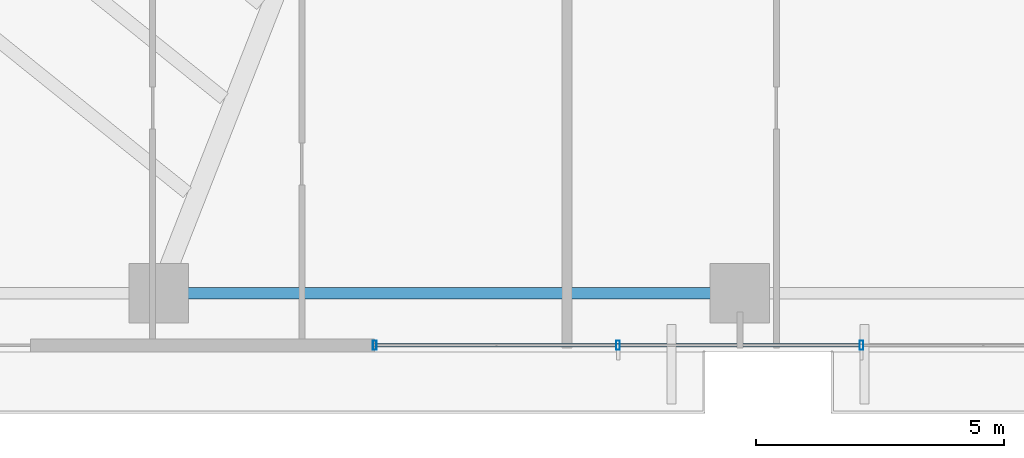
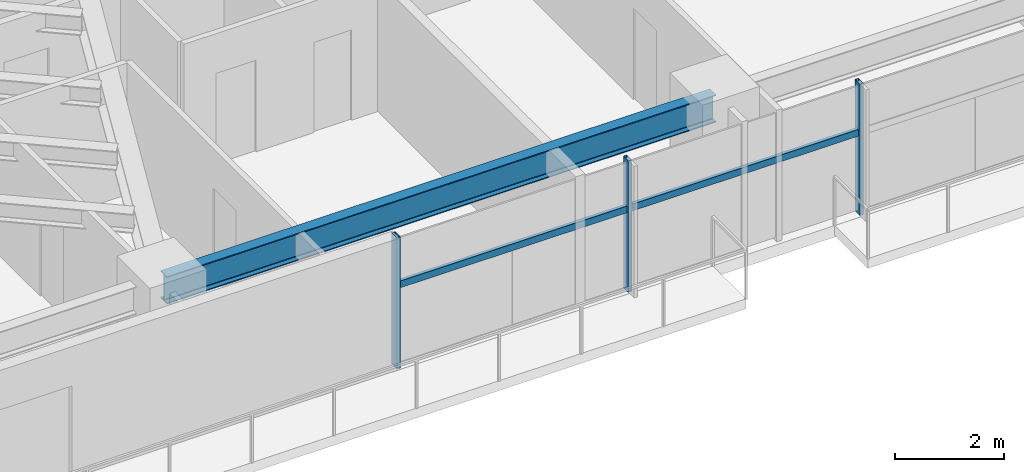
# One storey, part 6 of 25: 5 members, 1 beam, 1 element without a shape of its own.
"""IFC4 building model written with IfcOpenShell, lengths in metres."""

from ifc_helpers import new_model, si_unit, direction, frame, origin, origin_2d, place, context, subcontext, project, spatial, hollow_rectangle, i_section, extrude, source, transform, mapped, material, material_profile, profile_set, type_object, type_shapes, element, aggregate, save


model = new_model("IFC4")

# Units and contexts
model_context = context("Model", 3, precision=1e-05, world=origin(), true_north=direction((0.0, 1.0)))
body_context = subcontext(model_context, "Body", "Model", "MODEL_VIEW")
ifc_project = project(units=[si_unit("LENGTHUNIT", "METRE"), si_unit("AREAUNIT", "SQUARE_METRE"), si_unit("VOLUMEUNIT", "CUBIC_METRE"), si_unit("PLANEANGLEUNIT", "RADIAN"), si_unit("MASSUNIT", "GRAM", prefix="KILO")], contexts=[model_context])

# Site, building, storey
site_placement = place(None, origin())
site = spatial("IfcSite", under=ifc_project, at=site_placement, CompositionType="ELEMENT")
building_placement = place(site_placement, origin())
building = spatial("IfcBuilding", under=site, at=building_placement, Name="Astriad Promenade Condominiums", CompositionType="ELEMENT")
storey_placement = place(building_placement, frame((0.0, 0.0, 58.199951171875)))
storey = spatial("IfcBuildingStorey", under=building, at=storey_placement, Name="L16", CompositionType="ELEMENT", Elevation=58.199951171875)

# Beam
ifc_material_1 = material(Name="Steel ASTM A992 Grade 50", Category="steel")
ifc_material_profile_1 = material_profile(ifc_material_1, i_section(OverallWidth=0.22900390625, OverallDepth=0.612060546875, WebThickness=0.011962890625, FlangeThickness=0.01953125, FilletRadius=0.017822265625, at=origin_2d()), Name="W24X84")
ifc_profile_set_1 = profile_set([ifc_material_profile_1], Name="Steel ASTM A992 Grade 50")
beam_type = type_object("IfcBeamType", Name="STEEL SPANDREL BEAM W24X84", PredefinedType="SPANDREL", material=ifc_profile_set_1)
shared_shape_1 = source(origin(), body_context, "Body", "SweptSolid", [
    extrude(i_section(OverallWidth=0.22900390625, OverallDepth=0.612060546875, WebThickness=0.011962890625, FlangeThickness=0.01953125, FilletRadius=0.017822265625, at=origin_2d()), origin(), (0.0, 0.0, 1.0), 11.6201171875),
])
type_shapes(beam_type, [shared_shape_1])
beam_placement = place(storey_placement, frame((21.139892578125, 3.8798828125, 2.634033203125), z_axis=(1.0, 0.0, 0.0), x_axis=(0.0, 1.0, 0.0)))
element("IfcBeam", 1, at=beam_placement, inside=storey, type_object=beam_type, Name="Perimeter Spandrel Beam SP-S2-L16", PredefinedType="SPANDREL", context=body_context, shape_type="MappedRepresentation", body=[
    mapped(shared_shape_1, transform((0.0, 0.0, 0.0), scale=1.0)),
])

# Curtain wall, members
ifc_material_2 = material(Name="Anodised aluminium Black Dark Glass Unitised", Category="aluminium")
curtain_wall_type = type_object("IfcCurtainWallType", Name="CW-B1-DARK", PredefinedType="USERDEFINED", material=ifc_material_2)
curtain_wall_placement = place(storey_placement, origin())
curtain_wall = element("IfcCurtainWall", 2, at=curtain_wall_placement, inside=storey, type_object=curtain_wall_type, Name="CW-L16-S", ObjectType="UNITISED_CURTAIN_WALL", PredefinedType="USERDEFINED")
ifc_material_3 = material(Name="Anodised aluminium 6063-T6 Black", Category="aluminium")
ifc_material_profile_2 = material_profile(ifc_material_3, hollow_rectangle(XDim=0.074951171875, YDim=0.18505859375, WallThickness=0.00439453125, at=origin_2d()), Name="ALU-MUL-75X185")
ifc_profile_set_2 = profile_set([ifc_material_profile_2], Name="Anodised aluminium 6063-T6 Black")
member_type_1 = type_object("IfcMemberType", Name="MUL-ALU-MUL-75X185", PredefinedType="MULLION", material=ifc_profile_set_2)
shared_shape_2 = source(origin(), body_context, "Body", "SweptSolid", [
    extrude(hollow_rectangle(XDim=0.074951171875, YDim=0.18505859375, WallThickness=0.00439453125, at=origin_2d()), origin(), (0.0, 0.0, 1.0), 2.93994140625),
])
type_shapes(member_type_1, [shared_shape_2])
member_1_placement = place(storey_placement, frame((35.25, 2.830078125, 0.0), z_axis=(0.0, 0.0, 1.0), x_axis=(1.0, 0.0, 0.0)))
member_1 = element("IfcMember", 3, at=member_1_placement, type_object=member_type_1, Name="CW-L16-S-MUL-01", PredefinedType="MULLION", context=body_context, shape_type="MappedRepresentation", body=[
    mapped(shared_shape_2, transform((0.0, 0.0, 0.0), scale=1.0)),
])
member_2_placement = place(storey_placement, frame((30.35009765625, 2.830078125, 0.0), z_axis=(0.0, 0.0, 1.0), x_axis=(1.0, 0.0, 0.0)))
member_2 = element("IfcMember", 4, at=member_2_placement, type_object=member_type_1, Name="CW-L16-S-MUL-02", PredefinedType="MULLION", context=body_context, shape_type="MappedRepresentation", body=[
    mapped(shared_shape_2, transform((0.0, 0.0, 0.0), scale=1.0)),
])
member_3_placement = place(storey_placement, frame((25.449951171875, 2.830078125, 0.0), z_axis=(0.0, 0.0, 1.0), x_axis=(1.0, 0.0, 0.0)))
member_3 = element("IfcMember", 5, at=member_3_placement, type_object=member_type_1, Name="CW-L16-S-MUL-03", PredefinedType="MULLION", context=body_context, shape_type="MappedRepresentation", body=[
    mapped(shared_shape_2, transform((0.0, 0.0, 0.0), scale=1.0)),
])
ifc_material_profile_3 = material_profile(ifc_material_3, hollow_rectangle(XDim=0.074951171875, YDim=0.14990234375, WallThickness=0.004150390625, at=origin_2d()), Name="ALU-TRN-75X150")
ifc_profile_set_3 = profile_set([ifc_material_profile_3], Name="Anodised aluminium 6063-T6 Black")
member_type_2 = type_object("IfcMemberType", Name="TRN-ALU-TRN-75X150", PredefinedType="USERDEFINED", material=ifc_profile_set_3)
shared_shape_3 = source(origin(), body_context, "Body", "SweptSolid", [
    extrude(hollow_rectangle(XDim=0.074951171875, YDim=0.14990234375, WallThickness=0.004150390625, at=origin_2d()), origin(), (0.0, 0.0, 1.0), 4.900146484375),
])
member_4_placement = place(storey_placement, frame((30.35009765625, 2.830078125, 1.82275390625), z_axis=(-1.0, 0.0, 0.0), x_axis=(0.0, -1.0, 0.0)))
member_4 = element("IfcMember", 6, at=member_4_placement, type_object=member_type_2, Name="CW-L16-S-TRN-02-0", ObjectType="TRANSOM", PredefinedType="USERDEFINED", context=body_context, shape_type="MappedRepresentation", body=[
    mapped(shared_shape_3, transform((0.0, 0.0, 0.0), scale=1.0)),
])
shared_shape_4 = source(origin(), body_context, "Body", "SweptSolid", [
    extrude(hollow_rectangle(XDim=0.074951171875, YDim=0.14990234375, WallThickness=0.004150390625, at=origin_2d()), origin(), (0.0, 0.0, 1.0), 4.89990234375),
])
type_shapes(member_type_2, [shared_shape_3, shared_shape_4])
member_5_placement = place(storey_placement, frame((35.25, 2.830078125, 1.82275390625), z_axis=(-1.0, 0.0, 0.0), x_axis=(0.0, -1.0, 0.0)))
member_5 = element("IfcMember", 7, at=member_5_placement, type_object=member_type_2, Name="CW-L16-S-TRN-01-0", ObjectType="TRANSOM", PredefinedType="USERDEFINED", context=body_context, shape_type="MappedRepresentation", body=[
    mapped(shared_shape_4, transform((0.0, 0.0, 0.0), scale=1.0)),
])
aggregate(curtain_wall, [member_1, member_2, member_3, member_5, member_4])

save(model, "model.ifc")
